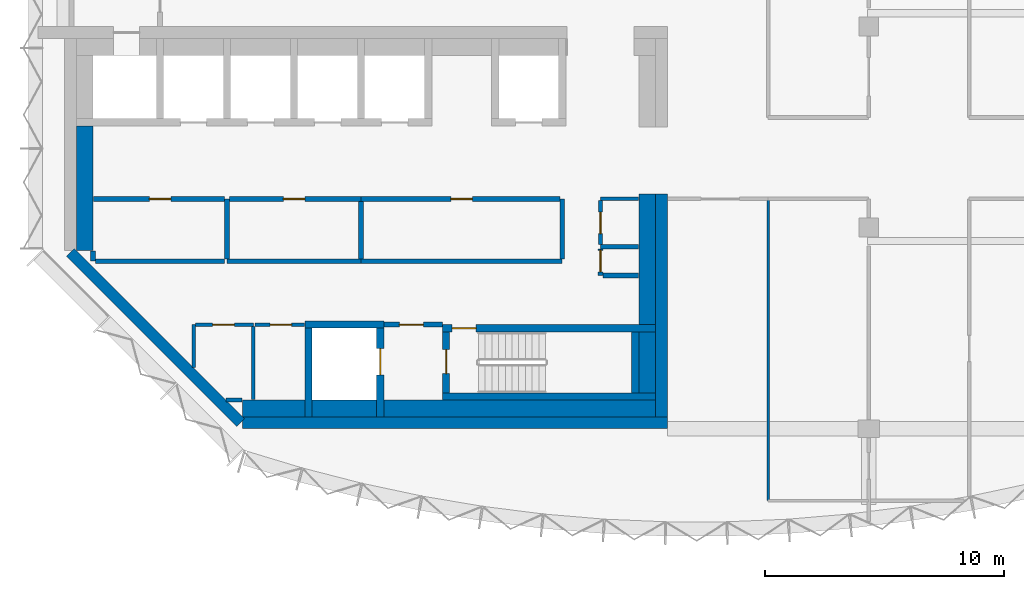
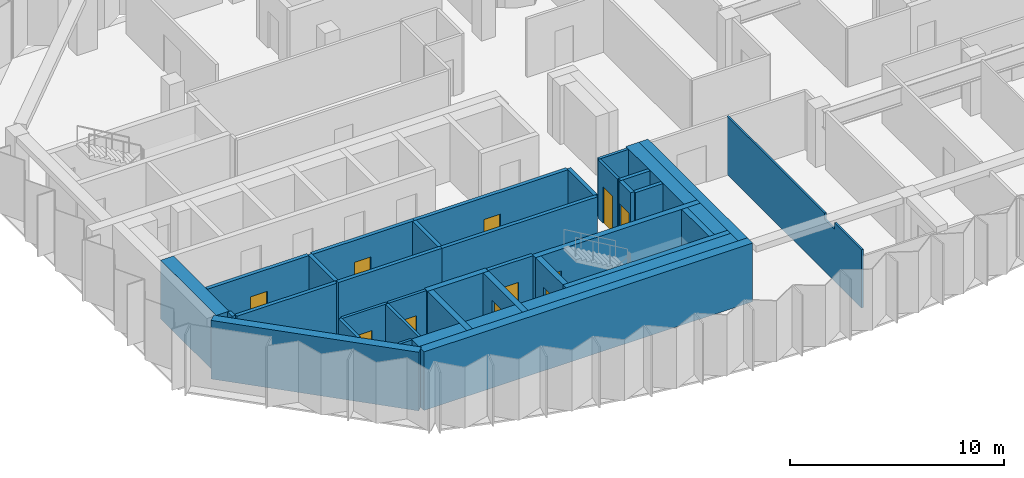
# One storey, part 6 of 11: 38 walls, 11 doors, 11 openings.
"""IFC4 building model written with IfcOpenShell, lengths in metres."""

from ifc_helpers import new_model, si_unit, direction, frame, frame_2d, origin, place, context, subcontext, project, spatial, polyline, rectangle, outline, extrude, material, layer, layer_set, type_object, element, fill, save


model = new_model("IFC4")

# Units and contexts
model_context = context("Model", 3, precision=1e-05, world=origin(), true_north=direction((0.0, 1.0)))
body_context = subcontext(model_context, "Body", "Model", "MODEL_VIEW")
ifc_project = project(units=[si_unit("LENGTHUNIT", "METRE"), si_unit("AREAUNIT", "SQUARE_METRE"), si_unit("VOLUMEUNIT", "CUBIC_METRE"), si_unit("PLANEANGLEUNIT", "RADIAN"), si_unit("MASSUNIT", "GRAM", prefix="KILO")], contexts=[model_context])

# Site, building, storey
site_placement = place(None, origin())
site = spatial("IfcSite", under=ifc_project, at=site_placement, CompositionType="ELEMENT")
building_placement = place(site_placement, origin())
building = spatial("IfcBuilding", under=site, at=building_placement, Name="Brevane Broadcast Tower", CompositionType="ELEMENT")
storey_placement = place(building_placement, frame((0.0, 0.0, 219.300048828125)))
storey = spatial("IfcBuildingStorey", under=building, at=storey_placement, Name="L55", CompositionType="ELEMENT", Elevation=219.300048828125)

# Walls
ifc_material_1 = material(Name="Concrete C32/40", Category="concrete")
ifc_layer_1 = layer(ifc_material_1, 0.699951171875)
ifc_layer_set_1 = layer_set([ifc_layer_1], Name="Core chase wall 700 mm")
wall_type_1 = type_object("IfcWallType", Name="Core chase wall 700 mm", PredefinedType="PARTITIONING", material=ifc_layer_set_1)
wall_1_placement = place(storey_placement, frame((0.85009765625, 7.436279296875, 0.0), z_axis=(0.0, 0.0, 1.0), x_axis=(0.0, 1.0, 0.0)))
element("IfcWall", 1, at=wall_1_placement, inside=storey, type_object=wall_type_1, Name="L55 chase wall LW-1", PredefinedType="PARTITIONING", context=body_context, shape_type="SweptSolid", body=[
    extrude(rectangle(XDim=5.213623046875, YDim=0.699951171875, at=frame_2d((2.60693359375, 0.0))), origin(), (0.0, 0.0, 1.0), 3.349853515625),
])
wall_2_placement = place(storey_placement, frame((7.436279296875, 0.85009765625, 0.0), z_axis=(0.0, 0.0, 1.0), x_axis=(1.0, 0.0, 0.0)))
element("IfcWall", 2, at=wall_2_placement, inside=storey, type_object=wall_type_1, Name="L55 chase wall LS-1", PredefinedType="PARTITIONING", context=body_context, shape_type="SweptSolid", body=[
    extrude(rectangle(XDim=2.61376953125, YDim=0.699951171875, at=frame_2d((1.306884765625, 0.0))), origin(), (0.0, 0.0, 1.0), 3.349853515625),
])
wall_3_placement = place(storey_placement, frame((10.35009765625, 0.85009765625, 0.0), z_axis=(0.0, 0.0, 1.0), x_axis=(1.0, 0.0, 0.0)))
element("IfcWall", 3, at=wall_3_placement, inside=storey, type_object=wall_type_1, Name="L55 chase wall LS-2-1", PredefinedType="PARTITIONING", context=body_context, shape_type="SweptSolid", body=[
    extrude(rectangle(XDim=2.699951171875, YDim=0.699951171875, at=frame_2d((1.35009765625, 0.0))), origin(), (0.0, 0.0, 1.0), 3.349853515625),
])
wall_4_placement = place(storey_placement, frame((13.35009765625, 0.85009765625, 0.0), z_axis=(0.0, 0.0, 1.0), x_axis=(1.0, 0.0, 0.0)))
element("IfcWall", 4, at=wall_4_placement, inside=storey, type_object=wall_type_1, Name="L55 chase wall LS-2-2", PredefinedType="PARTITIONING", context=body_context, shape_type="SweptSolid", body=[
    extrude(rectangle(XDim=11.349853515625, YDim=0.699951171875, at=frame_2d((5.6748046875, 0.0))), origin(), (0.0, 0.0, 1.0), 3.349853515625),
])
wall_5_placement = place(storey_placement, frame((24.35009765625, 1.5, 0.0), z_axis=(0.0, 0.0, 1.0), x_axis=(0.0, 1.0, 0.0)))
element("IfcWall", 5, at=wall_5_placement, inside=storey, type_object=wall_type_1, Name="L55 chase wall LE1-2-1", PredefinedType="PARTITIONING", context=body_context, shape_type="SweptSolid", body=[
    extrude(rectangle(XDim=2.550048828125, YDim=0.699951171875, at=frame_2d((1.27490234375, 0.0))), origin(), (0.0, 0.0, 1.0), 3.349853515625),
])
wall_6_placement = place(storey_placement, frame((24.35009765625, 4.35009765625, 0.0), z_axis=(0.0, 0.0, 1.0), x_axis=(0.0, 1.0, 0.0)))
element("IfcWall", 6, at=wall_6_placement, inside=storey, type_object=wall_type_1, Name="L55 chase wall LE1-2-2", PredefinedType="PARTITIONING", context=body_context, shape_type="SweptSolid", body=[
    extrude(rectangle(XDim=5.449951171875, YDim=0.699951171875, at=frame_2d((2.72509765625, 0.0))), origin(), (0.0, 0.0, 1.0), 3.349853515625),
])
ifc_material_2 = material(Name="Gypsum board on steel studs", Category="steel")
ifc_layer_2 = layer(ifc_material_2, 0.14990234375)
ifc_layer_set_2 = layer_set([ifc_layer_2], Name="Core fire partition 150 mm")
wall_type_2 = type_object("IfcWallType", Name="Core fire partition 150 mm", PredefinedType="PARTITIONING", material=ifc_layer_set_2)
wall_7_placement = place(storey_placement, frame((5.39990234375, 2.553466796875, 0.0), z_axis=(0.0, 0.0, 1.0), x_axis=(0.0, 1.0, 0.0)))
element("IfcWall", 7, at=wall_7_placement, inside=storey, type_object=wall_type_2, Name="L55 partition wall P17", PredefinedType="PARTITIONING", context=body_context, shape_type="SweptSolid", body=[
    extrude(rectangle(XDim=1.796630859375, YDim=0.14990234375, at=frame_2d((0.8984375, 0.0))), origin(), (0.0, 0.0, 1.0), 3.349853515625),
])

# Wall, opening, door
wall_8_placement = place(storey_placement, frame((5.47509765625, 4.35009765625, 0.0), z_axis=(0.0, 0.0, 1.0), x_axis=(1.0, 0.0, 0.0)))
wall_8 = element("IfcWall", 8, at=wall_8_placement, inside=storey, type_object=wall_type_2, Name="L55 partition wall P18", PredefinedType="PARTITIONING", context=body_context, shape_type="SweptSolid", body=[
    extrude(rectangle(XDim=2.4248046875, YDim=0.14990234375, at=frame_2d((1.21240234375, 0.0))), origin(), (0.0, 0.0, 1.0), 3.349853515625),
])
opening_1_placement = place(wall_8_placement, frame((0.72509765625, 0.0, 0.0)))
opening_1 = element("IfcOpeningElement", 9, at=opening_1_placement, cuts=wall_8, Name="Opening L55-K14", PredefinedType="OPENING", context=body_context, shape_type="SweptSolid", body=[
    extrude(rectangle(XDim=0.89990234375, YDim=2.10009765625, at=frame_2d((0.449951171875, 1.050048828125))), frame((0.0, 0.0849609375, 0.0), z_axis=(0.0, -1.0, 0.0), x_axis=(1.0, 0.0, 0.0)), (0.0, 0.0, 1.0), 0.169921875),
])
ifc_material_3 = material(Name="Timber", Category="wood")
door_type_1 = type_object("IfcDoorType", Name="Toilet door 900 x 2100", OperationType="SINGLE_SWING_LEFT", PredefinedType="DOOR", material=ifc_material_3)
door_1_placement = place(opening_1_placement, origin())
door_1 = element("IfcDoor", 10, at=door_1_placement, inside=storey, type_object=door_type_1, Name="Door L55-K14", OperationType="SINGLE_SWING_RIGHT", OverallHeight=2.10009765625, OverallWidth=0.89990234375, PredefinedType="DOOR", context=body_context, shape_type="SweptSolid", body=[
    extrude(rectangle(XDim=0.89990234375, YDim=2.10009765625, at=frame_2d((0.449951171875, 1.050048828125))), frame((0.0, 0.02490234375, 0.0), z_axis=(0.0, -1.0, 0.0), x_axis=(1.0, 0.0, 0.0)), (0.0, 0.0, 1.0), 0.050048828125),
])
fill(opening_1, door_1)

# Walls
wall_9_placement = place(storey_placement, frame((7.89990234375, 4.27490234375, 0.0), z_axis=(0.0, 0.0, 1.0), x_axis=(0.0, -1.0, 0.0)))
element("IfcWall", 11, at=wall_9_placement, inside=storey, type_object=wall_type_2, Name="L55 partition wall P19", PredefinedType="PARTITIONING", context=body_context, shape_type="SweptSolid", body=[
    extrude(rectangle(XDim=3.06298828125, YDim=0.14990234375, at=frame_2d((1.531494140625, 0.0))), origin(), (0.0, 0.0, 1.0), 3.349853515625),
])
wall_10_placement = place(storey_placement, frame((7.42431640625, 1.199951171875, 0.0), z_axis=(0.0, 0.0, 1.0), x_axis=(-1.0, 0.0, 0.0)))
element("IfcWall", 12, at=wall_10_placement, inside=storey, type_object=wall_type_2, Name="L55 partition wall P20", PredefinedType="PARTITIONING", context=body_context, shape_type="SweptSolid", body=[
    extrude(rectangle(XDim=0.6708984375, YDim=0.14990234375, at=frame_2d((0.33544921875, 0.0))), origin(), (0.0, 0.0, 1.0), 3.349853515625),
])

# Wall, opening, door
wall_11_placement = place(storey_placement, frame((10.0380859375, 4.35009765625, 0.0), z_axis=(0.0, 0.0, 1.0), x_axis=(-1.0, 0.0, 0.0)))
wall_11 = element("IfcWall", 13, at=wall_11_placement, inside=storey, type_object=wall_type_2, Name="L55 partition wall P21", PredefinedType="PARTITIONING", context=body_context, shape_type="SweptSolid", body=[
    extrude(rectangle(XDim=2.06298828125, YDim=0.14990234375, at=frame_2d((1.031494140625, 0.0))), origin(), (0.0, 0.0, 1.0), 3.349853515625),
])
opening_2_placement = place(wall_11_placement, frame((0.5380859375, 0.0, 0.0)))
opening_2 = element("IfcOpeningElement", 14, at=opening_2_placement, cuts=wall_11, Name="Opening L55-K15", PredefinedType="OPENING", context=body_context, shape_type="SweptSolid", body=[
    extrude(rectangle(XDim=0.89990234375, YDim=2.10009765625, at=frame_2d((0.449951171875, 1.050048828125))), frame((0.0, 0.0849609375, 0.0), z_axis=(0.0, -1.0, 0.0), x_axis=(1.0, 0.0, 0.0)), (0.0, 0.0, 1.0), 0.169921875),
])
door_2_placement = place(opening_2_placement, origin())
door_2 = element("IfcDoor", 15, at=door_2_placement, inside=storey, type_object=door_type_1, Name="Door L55-K15", OperationType="SINGLE_SWING_LEFT", OverallHeight=2.10009765625, OverallWidth=0.89990234375, PredefinedType="DOOR", context=body_context, shape_type="SweptSolid", body=[
    extrude(rectangle(XDim=0.89990234375, YDim=2.10009765625, at=frame_2d((0.449951171875, 1.050048828125))), frame((0.0, 0.02490234375, 0.0), z_axis=(0.0, -1.0, 0.0), x_axis=(1.0, 0.0, 0.0)), (0.0, 0.0, 1.0), 0.050048828125),
])
fill(opening_2, door_2)

# Wall
wall_12_placement = place(storey_placement, frame((23.988037109375, 9.60009765625, 0.0), z_axis=(0.0, 0.0, 1.0), x_axis=(-1.0, 0.0, 0.0)))
element("IfcWall", 16, at=wall_12_placement, inside=storey, type_object=wall_type_2, Name="L55 partition wall P32", PredefinedType="PARTITIONING", context=body_context, shape_type="SweptSolid", body=[
    extrude(rectangle(XDim=1.588134765625, YDim=0.14990234375, at=frame_2d((0.7939453125, 0.0))), origin(), (0.0, 0.0, 1.0), 3.349853515625),
])

# Wall, opening, door
wall_13_placement = place(storey_placement, frame((22.39990234375, 9.52490234375, 0.0), z_axis=(0.0, 0.0, 1.0), x_axis=(0.0, -1.0, 0.0)))
wall_13 = element("IfcWall", 17, at=wall_13_placement, inside=storey, type_object=wall_type_2, Name="L55 partition wall P33", PredefinedType="PARTITIONING", context=body_context, shape_type="SweptSolid", body=[
    extrude(rectangle(XDim=1.824951171875, YDim=0.14990234375, at=frame_2d((0.91259765625, 0.0))), origin(), (0.0, 0.0, 1.0), 3.349853515625),
])
opening_3_placement = place(wall_13_placement, frame((0.47509765625, 0.0, 0.0)))
opening_3 = element("IfcOpeningElement", 18, at=opening_3_placement, cuts=wall_13, Name="Opening L55-K18", PredefinedType="OPENING", context=body_context, shape_type="SweptSolid", body=[
    extrude(rectangle(XDim=0.89990234375, YDim=2.10009765625, at=frame_2d((0.449951171875, 1.050048828125))), frame((0.0, 0.0849609375, 0.0), z_axis=(0.0, -1.0, 0.0), x_axis=(1.0, 0.0, 0.0)), (0.0, 0.0, 1.0), 0.169921875),
])
ifc_material_4 = material(Name="Steel", Category="steel")
door_type_2 = type_object("IfcDoorType", Name="Service room door 900 x 2100", OperationType="SINGLE_SWING_LEFT", PredefinedType="DOOR", material=ifc_material_4)
door_3_placement = place(opening_3_placement, origin())
door_3 = element("IfcDoor", 19, at=door_3_placement, inside=storey, type_object=door_type_2, Name="Door L55-K18", OperationType="SINGLE_SWING_RIGHT", OverallHeight=2.10009765625, OverallWidth=0.89990234375, PredefinedType="DOOR", context=body_context, shape_type="SweptSolid", body=[
    extrude(rectangle(XDim=0.89990234375, YDim=2.10009765625, at=frame_2d((0.449951171875, 1.050048828125))), frame((0.0, 0.02490234375, 0.0), z_axis=(0.0, -1.0, 0.0), x_axis=(1.0, 0.0, 0.0)), (0.0, 0.0, 1.0), 0.050048828125),
])
fill(opening_3, door_3)

ifc_layer_3 = layer(ifc_material_2, 0.199951171875)
ifc_layer_set_3 = layer_set([ifc_layer_3], Name="Core fire partition 200 mm")
wall_type_3 = type_object("IfcWallType", Name="Core fire partition 200 mm", PredefinedType="PARTITIONING", material=ifc_layer_set_3)
wall_14_placement = place(storey_placement, frame((13.362060546875, 4.35009765625, 0.0), z_axis=(0.0, 0.0, 1.0), x_axis=(1.0, 0.0, 0.0)))
wall_14 = element("IfcWall", 20, at=wall_14_placement, inside=storey, type_object=wall_type_3, Name="L55 partition wall P03", PredefinedType="PARTITIONING", context=body_context, shape_type="SweptSolid", body=[
    extrude(rectangle(XDim=2.426025390625, YDim=0.199951171875, at=frame_2d((1.212890625, 0.0))), origin(), (0.0, 0.0, 1.0), 3.349853515625),
])
opening_4_placement = place(wall_14_placement, frame((0.637939453125, 0.0, 0.0)))
opening_4 = element("IfcOpeningElement", 21, at=opening_4_placement, cuts=wall_14, Name="Opening L55-K16", PredefinedType="OPENING", context=body_context, shape_type="SweptSolid", body=[
    extrude(rectangle(XDim=1.0, YDim=2.10009765625, at=frame_2d((0.5, 1.050048828125))), frame((0.0, 0.10986328125, 0.0), z_axis=(0.0, -1.0, 0.0), x_axis=(1.0, 0.0, 0.0)), (0.0, 0.0, 1.0), 0.219970703125),
])
door_type_3 = type_object("IfcDoorType", Name="Stair door 1000 x 2100", OperationType="SINGLE_SWING_LEFT", PredefinedType="DOOR", material=ifc_material_4)
door_4_placement = place(opening_4_placement, origin())
door_4 = element("IfcDoor", 22, at=door_4_placement, inside=storey, type_object=door_type_3, Name="Door L55-K16", OperationType="SINGLE_SWING_RIGHT", OverallHeight=2.10009765625, OverallWidth=1.0, PredefinedType="DOOR", context=body_context, shape_type="SweptSolid", body=[
    extrude(rectangle(XDim=1.0, YDim=2.10009765625, at=frame_2d((0.5, 1.050048828125))), frame((0.0, 0.02490234375, 0.0), z_axis=(0.0, -1.0, 0.0), x_axis=(1.0, 0.0, 0.0)), (0.0, 0.0, 1.0), 0.050048828125),
])
fill(opening_4, door_4)

# Walls
wall_15_placement = place(storey_placement, frame((6.800048828125, 7.0, 0.0), z_axis=(0.0, 0.0, 1.0), x_axis=(1.0, 0.0, 0.0)))
element("IfcWall", 23, at=wall_15_placement, inside=storey, type_object=wall_type_3, Name="L55 partition wall P04", PredefinedType="PARTITIONING", context=body_context, shape_type="SweptSolid", body=[
    extrude(rectangle(XDim=5.599853515625, YDim=0.199951171875, at=frame_2d((2.7998046875, 0.0))), origin(), (0.0, 0.0, 1.0), 3.349853515625),
])
wall_16_placement = place(storey_placement, frame((6.800048828125, 9.60009765625, 0.0), z_axis=(0.0, 0.0, 1.0), x_axis=(0.0, -1.0, 0.0)))
element("IfcWall", 24, at=wall_16_placement, inside=storey, type_object=wall_type_3, Name="L55 partition wall P05", PredefinedType="PARTITIONING", context=body_context, shape_type="SweptSolid", body=[
    extrude(rectangle(XDim=2.5, YDim=0.199951171875, at=frame_2d((1.25, 0.0))), origin(), (0.0, 0.0, 1.0), 3.349853515625),
])

# Wall, opening, door
wall_17_placement = place(storey_placement, frame((6.699951171875, 9.60009765625, 0.0), z_axis=(0.0, 0.0, 1.0), x_axis=(-1.0, 0.0, 0.0)))
wall_17 = element("IfcWall", 25, at=wall_17_placement, inside=storey, type_object=wall_type_3, Name="L55 partition wall P06", PredefinedType="PARTITIONING", context=body_context, shape_type="SweptSolid", body=[
    extrude(rectangle(XDim=5.488037109375, YDim=0.199951171875, at=frame_2d((2.744140625, 0.0))), origin(), (0.0, 0.0, 1.0), 3.349853515625),
])
opening_5_placement = place(wall_17_placement, frame((2.25, 0.0, 0.0)))
opening_5 = element("IfcOpeningElement", 26, at=opening_5_placement, cuts=wall_17, Name="Opening L55-K19", PredefinedType="OPENING", context=body_context, shape_type="SweptSolid", body=[
    extrude(rectangle(XDim=0.89990234375, YDim=2.10009765625, at=frame_2d((0.449951171875, 1.050048828125))), frame((0.0, 0.10986328125, 0.0), z_axis=(0.0, -1.0, 0.0), x_axis=(1.0, 0.0, 0.0)), (0.0, 0.0, 1.0), 0.219970703125),
])
door_5_placement = place(opening_5_placement, origin())
door_5 = element("IfcDoor", 27, at=door_5_placement, inside=storey, type_object=door_type_2, Name="Door L55-K19", OperationType="SINGLE_SWING_LEFT", OverallHeight=2.10009765625, OverallWidth=0.89990234375, PredefinedType="DOOR", context=body_context, shape_type="SweptSolid", body=[
    extrude(rectangle(XDim=0.89990234375, YDim=2.10009765625, at=frame_2d((0.449951171875, 1.050048828125))), frame((0.0, 0.02490234375, 0.0), z_axis=(0.0, -1.0, 0.0), x_axis=(1.0, 0.0, 0.0)), (0.0, 0.0, 1.0), 0.050048828125),
])
fill(opening_5, door_5)

# Walls
wall_18_placement = place(storey_placement, frame((1.199951171875, 7.42431640625, 0.0), z_axis=(0.0, 0.0, 1.0), x_axis=(0.0, -1.0, 0.0)))
element("IfcWall", 28, at=wall_18_placement, inside=storey, type_object=wall_type_3, Name="L55 partition wall P07", PredefinedType="PARTITIONING", context=body_context, shape_type="SweptSolid", body=[
    extrude(rectangle(XDim=0.42431640625, YDim=0.199951171875, at=frame_2d((0.212158203125, 0.0))), origin(), (0.0, 0.0, 1.0), 3.349853515625),
])
wall_19_placement = place(storey_placement, frame((1.300048828125, 7.0, 0.0), z_axis=(0.0, 0.0, 1.0), x_axis=(1.0, 0.0, 0.0)))
element("IfcWall", 29, at=wall_19_placement, inside=storey, type_object=wall_type_3, Name="L55 partition wall P08", PredefinedType="PARTITIONING", context=body_context, shape_type="SweptSolid", body=[
    extrude(rectangle(XDim=5.39990234375, YDim=0.199951171875, at=frame_2d((2.699951171875, 0.0))), origin(), (0.0, 0.0, 1.0), 3.349853515625),
])

# Wall, opening, door
wall_20_placement = place(storey_placement, frame((12.39990234375, 9.60009765625, 0.0), z_axis=(0.0, 0.0, 1.0), x_axis=(-1.0, 0.0, 0.0)))
wall_20 = element("IfcWall", 30, at=wall_20_placement, inside=storey, type_object=wall_type_3, Name="L55 partition wall P09", PredefinedType="PARTITIONING", context=body_context, shape_type="SweptSolid", body=[
    extrude(rectangle(XDim=5.5, YDim=0.199951171875, at=frame_2d((2.75, 0.0))), origin(), (0.0, 0.0, 1.0), 3.349853515625),
])
opening_6_placement = place(wall_20_placement, frame((2.35009765625, 0.0, 0.0)))
opening_6 = element("IfcOpeningElement", 31, at=opening_6_placement, cuts=wall_20, Name="Opening L55-K20", PredefinedType="OPENING", context=body_context, shape_type="SweptSolid", body=[
    extrude(rectangle(XDim=0.89990234375, YDim=2.10009765625, at=frame_2d((0.449951171875, 1.050048828125))), frame((0.0, 0.10986328125, 0.0), z_axis=(0.0, -1.0, 0.0), x_axis=(1.0, 0.0, 0.0)), (0.0, 0.0, 1.0), 0.219970703125),
])
door_6_placement = place(opening_6_placement, origin())
door_6 = element("IfcDoor", 32, at=door_6_placement, inside=storey, type_object=door_type_2, Name="Door L55-K20", OperationType="SINGLE_SWING_RIGHT", OverallHeight=2.10009765625, OverallWidth=0.89990234375, PredefinedType="DOOR", context=body_context, shape_type="SweptSolid", body=[
    extrude(rectangle(XDim=0.89990234375, YDim=2.10009765625, at=frame_2d((0.449951171875, 1.050048828125))), frame((0.0, 0.02490234375, 0.0), z_axis=(0.0, -1.0, 0.0), x_axis=(1.0, 0.0, 0.0)), (0.0, 0.0, 1.0), 0.050048828125),
])
fill(opening_6, door_6)

# Walls
wall_21_placement = place(storey_placement, frame((12.39990234375, 7.0, 0.0), z_axis=(0.0, 0.0, 1.0), x_axis=(1.0, 0.0, 0.0)))
element("IfcWall", 33, at=wall_21_placement, inside=storey, type_object=wall_type_3, Name="L55 partition wall P10", PredefinedType="PARTITIONING", context=body_context, shape_type="SweptSolid", body=[
    extrude(rectangle(XDim=8.400146484375, YDim=0.199951171875, at=frame_2d((4.2001953125, 0.0))), origin(), (0.0, 0.0, 1.0), 3.349853515625),
])
wall_22_placement = place(storey_placement, frame((20.800048828125, 7.10009765625, 0.0), z_axis=(0.0, 0.0, 1.0), x_axis=(0.0, 1.0, 0.0)))
element("IfcWall", 34, at=wall_22_placement, inside=storey, type_object=wall_type_3, Name="L55 partition wall P11", PredefinedType="PARTITIONING", context=body_context, shape_type="SweptSolid", body=[
    extrude(rectangle(XDim=2.5, YDim=0.199951171875, at=frame_2d((1.25, 0.0))), origin(), (0.0, 0.0, 1.0), 3.349853515625),
])

# Wall, opening, door
wall_23_placement = place(storey_placement, frame((20.699951171875, 9.60009765625, 0.0), z_axis=(0.0, 0.0, 1.0), x_axis=(-1.0, 0.0, 0.0)))
wall_23 = element("IfcWall", 35, at=wall_23_placement, inside=storey, type_object=wall_type_3, Name="L55 partition wall P12", PredefinedType="PARTITIONING", context=body_context, shape_type="SweptSolid", body=[
    extrude(rectangle(XDim=8.300048828125, YDim=0.199951171875, at=frame_2d((4.14990234375, 0.0))), origin(), (0.0, 0.0, 1.0), 3.349853515625),
])
opening_7_placement = place(wall_23_placement, frame((3.64990234375, 0.0, 0.0)))
opening_7 = element("IfcOpeningElement", 36, at=opening_7_placement, cuts=wall_23, Name="Opening L55-K21", PredefinedType="OPENING", context=body_context, shape_type="SweptSolid", body=[
    extrude(rectangle(XDim=0.89990234375, YDim=2.10009765625, at=frame_2d((0.449951171875, 1.050048828125))), frame((0.0, 0.10986328125, 0.0), z_axis=(0.0, -1.0, 0.0), x_axis=(1.0, 0.0, 0.0)), (0.0, 0.0, 1.0), 0.219970703125),
])
door_7_placement = place(opening_7_placement, origin())
door_7 = element("IfcDoor", 37, at=door_7_placement, inside=storey, type_object=door_type_2, Name="Door L55-K21", OperationType="SINGLE_SWING_LEFT", OverallHeight=2.10009765625, OverallWidth=0.89990234375, PredefinedType="DOOR", context=body_context, shape_type="SweptSolid", body=[
    extrude(rectangle(XDim=0.89990234375, YDim=2.10009765625, at=frame_2d((0.449951171875, 1.050048828125))), frame((0.0, 0.02490234375, 0.0), z_axis=(0.0, -1.0, 0.0), x_axis=(1.0, 0.0, 0.0)), (0.0, 0.0, 1.0), 0.050048828125),
])
fill(opening_7, door_7)

# Walls
wall_24_placement = place(storey_placement, frame((12.39990234375, 9.5, 0.0), z_axis=(0.0, 0.0, 1.0), x_axis=(0.0, -1.0, 0.0)))
element("IfcWall", 38, at=wall_24_placement, inside=storey, type_object=wall_type_3, Name="L55 partition wall P13", PredefinedType="PARTITIONING", context=body_context, shape_type="SweptSolid", body=[
    extrude(rectangle(XDim=2.39990234375, YDim=0.199951171875, at=frame_2d((1.199951171875, 0.0))), origin(), (0.0, 0.0, 1.0), 3.349853515625),
])
wall_25_placement = place(storey_placement, frame((23.988037109375, 7.60009765625, 0.0), z_axis=(0.0, 0.0, 1.0), x_axis=(-1.0, 0.0, 0.0)))
element("IfcWall", 39, at=wall_25_placement, inside=storey, type_object=wall_type_3, Name="L55 partition wall P14", PredefinedType="PARTITIONING", context=body_context, shape_type="SweptSolid", body=[
    extrude(rectangle(XDim=1.588134765625, YDim=0.199951171875, at=frame_2d((0.7939453125, 0.0))), origin(), (0.0, 0.0, 1.0), 3.349853515625),
])

# Wall, opening, door
wall_26_placement = place(storey_placement, frame((22.39990234375, 7.5, 0.0), z_axis=(0.0, 0.0, 1.0), x_axis=(0.0, -1.0, 0.0)))
wall_26 = element("IfcWall", 40, at=wall_26_placement, inside=storey, type_object=wall_type_3, Name="L55 partition wall P15", PredefinedType="PARTITIONING", context=body_context, shape_type="SweptSolid", body=[
    extrude(rectangle(XDim=1.10009765625, YDim=0.199951171875, at=frame_2d((0.550048828125, 0.0))), origin(), (0.0, 0.0, 1.0), 3.349853515625),
])
opening_8_placement = place(wall_26_placement, frame((0.050048828125, 0.0, 0.0)))
opening_8 = element("IfcOpeningElement", 41, at=opening_8_placement, cuts=wall_26, Name="Opening L55-K17", PredefinedType="OPENING", context=body_context, shape_type="SweptSolid", body=[
    extrude(rectangle(XDim=0.89990234375, YDim=2.10009765625, at=frame_2d((0.449951171875, 1.050048828125))), frame((0.0, 0.10986328125, 0.0), z_axis=(0.0, -1.0, 0.0), x_axis=(1.0, 0.0, 0.0)), (0.0, 0.0, 1.0), 0.219970703125),
])
door_8_placement = place(opening_8_placement, origin())
door_8 = element("IfcDoor", 42, at=door_8_placement, inside=storey, type_object=door_type_2, Name="Door L55-K17", OperationType="SINGLE_SWING_LEFT", OverallHeight=2.10009765625, OverallWidth=0.89990234375, PredefinedType="DOOR", context=body_context, shape_type="SweptSolid", body=[
    extrude(rectangle(XDim=0.89990234375, YDim=2.10009765625, at=frame_2d((0.449951171875, 1.050048828125))), frame((0.0, 0.02490234375, 0.0), z_axis=(0.0, -1.0, 0.0), x_axis=(1.0, 0.0, 0.0)), (0.0, 0.0, 1.0), 0.050048828125),
])
fill(opening_8, door_8)

# Walls
wall_27_placement = place(storey_placement, frame((22.5, 6.39990234375, 0.0), z_axis=(0.0, 0.0, 1.0), x_axis=(1.0, 0.0, 0.0)))
element("IfcWall", 43, at=wall_27_placement, inside=storey, type_object=wall_type_3, Name="L55 partition wall P16", PredefinedType="PARTITIONING", context=body_context, shape_type="SweptSolid", body=[
    extrude(rectangle(XDim=1.488037109375, YDim=0.199951171875, at=frame_2d((0.744140625, 0.0))), origin(), (0.0, 0.0, 1.0), 3.349853515625),
])
ifc_material_5 = material(Name="Concrete C50/60", Category="concrete")
ifc_layer_4 = layer(ifc_material_5, 0.300048828125)
ifc_layer_set_4 = layer_set([ifc_layer_4], Name="Core wall 300 mm C50/60")
wall_type_4 = type_object("IfcWallType", Name="Core wall 300 mm C50/60", PredefinedType="SHEAR", material=ifc_layer_set_4)
wall_28_placement = place(storey_placement, frame((10.199951171875, 0.5, 0.0), z_axis=(0.0, 0.0, 1.0), x_axis=(0.0, 1.0, 0.0)))
element("IfcWall", 44, at=wall_28_placement, inside=storey, type_object=wall_type_4, Name="L55 shaft wall FF2-W", PredefinedType="SHEAR", context=body_context, shape_type="SweptSolid", body=[
    extrude(rectangle(XDim=3.699951171875, YDim=0.300048828125, at=frame_2d((1.85009765625, 0.0))), origin(), (0.0, 0.0, 1.0), 3.349853515625),
])

# Wall, opening, door
wall_29_placement = place(storey_placement, frame((13.199951171875, 0.5, 0.0), z_axis=(0.0, 0.0, 1.0), x_axis=(0.0, 1.0, 0.0)))
wall_29 = element("IfcWall", 45, at=wall_29_placement, inside=storey, type_object=wall_type_4, Name="L55 shaft wall FF2-E", PredefinedType="SHEAR", context=body_context, shape_type="SweptSolid", body=[
    extrude(rectangle(XDim=3.699951171875, YDim=0.300048828125, at=frame_2d((1.85009765625, 0.0))), origin(), (0.0, 0.0, 1.0), 3.349853515625),
])
opening_9_placement = place(wall_29_placement, frame((1.75, 0.0, 0.0)))
opening_9 = element("IfcOpeningElement", 46, at=opening_9_placement, cuts=wall_29, Name="Opening LD", PredefinedType="OPENING", context=body_context, shape_type="SweptSolid", body=[
    extrude(rectangle(XDim=1.10009765625, YDim=2.300048828125, at=frame_2d((0.550048828125, 1.14990234375))), frame((0.0, 0.159912109375, 0.0), z_axis=(0.0, -1.0, 0.0), x_axis=(1.0, 0.0, 0.0)), (0.0, 0.0, 1.0), 0.320068359375),
])
ifc_material_6 = material(Name="Stainless steel", Category="steel")
door_type_4 = type_object("IfcDoorType", Name="Lift landing door", OperationType="SLIDING_TO_LEFT", PredefinedType="DOOR", material=ifc_material_6)
door_9_placement = place(opening_9_placement, origin())
door_9 = element("IfcDoor", 47, at=door_9_placement, inside=storey, type_object=door_type_4, Name="Landing door FF2 L55", OperationType="SLIDING_TO_LEFT", OverallHeight=2.300048828125, OverallWidth=1.10009765625, PredefinedType="DOOR", context=body_context, shape_type="SweptSolid", body=[
    extrude(rectangle(XDim=1.10009765625, YDim=2.300048828125, at=frame_2d((0.550048828125, 1.14990234375))), frame((0.0, 0.02490234375, 0.0), z_axis=(0.0, -1.0, 0.0), x_axis=(1.0, 0.0, 0.0)), (0.0, 0.0, 1.0), 0.050048828125),
])
fill(opening_9, door_9)

# Walls
wall_30_placement = place(storey_placement, frame((10.050048828125, 4.35009765625, 0.0), z_axis=(0.0, 0.0, 1.0), x_axis=(1.0, 0.0, 0.0)))
element("IfcWall", 48, at=wall_30_placement, inside=storey, type_object=wall_type_4, Name="L55 shaft wall FF2-N", PredefinedType="SHEAR", context=body_context, shape_type="SweptSolid", body=[
    extrude(rectangle(XDim=3.300048828125, YDim=0.300048828125, at=frame_2d((1.64990234375, 0.0))), origin(), (0.0, 0.0, 1.0), 3.349853515625),
])
wall_31_placement = place(storey_placement, frame((15.800048828125, 1.35009765625, 0.0), z_axis=(0.0, 0.0, 1.0), x_axis=(1.0, 0.0, 0.0)))
element("IfcWall", 49, at=wall_31_placement, inside=storey, type_object=wall_type_4, Name="L55 stair wall ST-2-S", PredefinedType="SHEAR", context=body_context, shape_type="SweptSolid", body=[
    extrude(rectangle(XDim=8.89990234375, YDim=0.300048828125, at=frame_2d((4.449951171875, 0.0))), origin(), (0.0, 0.0, 1.0), 3.349853515625),
])

# Wall, opening, door
wall_32_placement = place(storey_placement, frame((15.800048828125, 4.199951171875, 0.0), z_axis=(0.0, 0.0, 1.0), x_axis=(1.0, 0.0, 0.0)))
wall_32 = element("IfcWall", 50, at=wall_32_placement, inside=storey, type_object=wall_type_4, Name="L55 stair wall ST-2-N", PredefinedType="SHEAR", context=body_context, shape_type="SweptSolid", body=[
    extrude(rectangle(XDim=8.89990234375, YDim=0.300048828125, at=frame_2d((4.449951171875, 0.0))), origin(), (0.0, 0.0, 1.0), 3.349853515625),
])
opening_10_placement = place(wall_32_placement, frame((0.39990234375, 0.0, 0.0)))
opening_10 = element("IfcOpeningElement", 51, at=opening_10_placement, cuts=wall_32, Name="Opening L55-K11", PredefinedType="OPENING", context=body_context, shape_type="SweptSolid", body=[
    extrude(rectangle(XDim=1.0, YDim=2.10009765625, at=frame_2d((0.5, 1.050048828125))), frame((0.0, 0.159912109375, 0.0), z_axis=(0.0, -1.0, 0.0), x_axis=(1.0, 0.0, 0.0)), (0.0, 0.0, 1.0), 0.320068359375),
])
door_10_placement = place(opening_10_placement, origin())
door_10 = element("IfcDoor", 52, at=door_10_placement, inside=storey, type_object=door_type_3, Name="Door L55-K11", OperationType="SINGLE_SWING_LEFT", OverallHeight=2.10009765625, OverallWidth=1.0, PredefinedType="DOOR", context=body_context, shape_type="SweptSolid", body=[
    extrude(rectangle(XDim=1.0, YDim=2.10009765625, at=frame_2d((0.5, 1.050048828125))), frame((0.0, 0.02490234375, 0.0), z_axis=(0.0, -1.0, 0.0), x_axis=(1.0, 0.0, 0.0)), (0.0, 0.0, 1.0), 0.050048828125),
])
fill(opening_10, door_10)

wall_33_placement = place(storey_placement, frame((15.949951171875, 1.5, 0.0), z_axis=(0.0, 0.0, 1.0), x_axis=(0.0, 1.0, 0.0)))
wall_33 = element("IfcWall", 53, at=wall_33_placement, inside=storey, type_object=wall_type_4, Name="L55 stair wall ST-2-W", PredefinedType="SHEAR", context=body_context, shape_type="SweptSolid", body=[
    extrude(rectangle(XDim=2.550048828125, YDim=0.300048828125, at=frame_2d((1.27490234375, 0.0))), origin(), (0.0, 0.0, 1.0), 3.349853515625),
])
opening_11_placement = place(wall_33_placement, frame((0.800048828125, 0.0, 0.0)))
opening_11 = element("IfcOpeningElement", 54, at=opening_11_placement, cuts=wall_33, Name="Opening L55-K10", PredefinedType="OPENING", context=body_context, shape_type="SweptSolid", body=[
    extrude(rectangle(XDim=1.0, YDim=2.10009765625, at=frame_2d((0.5, 1.050048828125))), frame((0.0, 0.159912109375, 0.0), z_axis=(0.0, -1.0, 0.0), x_axis=(1.0, 0.0, 0.0)), (0.0, 0.0, 1.0), 0.320068359375),
])
door_11_placement = place(opening_11_placement, origin())
door_11 = element("IfcDoor", 55, at=door_11_placement, inside=storey, type_object=door_type_3, Name="Door L55-K10", OperationType="SINGLE_SWING_RIGHT", OverallHeight=2.10009765625, OverallWidth=1.0, PredefinedType="DOOR", context=body_context, shape_type="SweptSolid", body=[
    extrude(rectangle(XDim=1.0, YDim=2.10009765625, at=frame_2d((0.5, 1.050048828125))), frame((0.0, 0.02490234375, 0.0), z_axis=(0.0, -1.0, 0.0), x_axis=(1.0, 0.0, 0.0)), (0.0, 0.0, 1.0), 0.050048828125),
])
fill(opening_11, door_11)

# Walls
wall_34_placement = place(storey_placement, frame((23.85009765625, 1.5, 0.0), z_axis=(0.0, 0.0, 1.0), x_axis=(0.0, 1.0, 0.0)))
element("IfcWall", 56, at=wall_34_placement, inside=storey, type_object=wall_type_4, Name="L55 stair wall ST-2-E", PredefinedType="SHEAR", context=body_context, shape_type="SweptSolid", body=[
    extrude(rectangle(XDim=2.550048828125, YDim=0.300048828125, at=frame_2d((1.27490234375, 0.0))), origin(), (0.0, 0.0, 1.0), 3.349853515625),
])
ifc_layer_5 = layer(ifc_material_5, 0.449951171875)
ifc_layer_set_5 = layer_set([ifc_layer_5], Name="Core wall 450 mm C50/60")
wall_type_5 = type_object("IfcWallType", Name="Core wall 450 mm C50/60", PredefinedType="SHEAR", material=ifc_layer_set_5)
wall_35_placement = place(storey_placement, frame((0.25, 7.3681640625, 0.0), z_axis=(0.0, 0.0, 1.0), x_axis=(0.707106781187, -0.707106781187, 0.0)))
element("IfcWall", 57, at=wall_35_placement, inside=storey, type_object=wall_type_5, Name="L55 outer wall WC", PredefinedType="SHEAR", context=body_context, shape_type="SweptSolid", body=[
    extrude(rectangle(XDim=10.066650390625, YDim=0.449951171875, at=frame_2d((5.033203125, 0.0))), origin(), (0.0, 0.0, 1.0), 3.349853515625),
])
ifc_layer_6 = layer(ifc_material_5, 0.5)
ifc_layer_set_6 = layer_set([ifc_layer_6], Name="Core wall 500 mm C50/60")
wall_type_6 = type_object("IfcWallType", Name="Core wall 500 mm C50/60", PredefinedType="SHEAR", material=ifc_layer_set_6)
wall_36_placement = place(storey_placement, frame((7.436279296875, 0.25, 0.0), z_axis=(0.0, 0.0, 1.0), x_axis=(1.0, 0.0, 0.0)))
element("IfcWall", 58, at=wall_36_placement, inside=storey, type_object=wall_type_6, Name="L55 outer wall WS", PredefinedType="SHEAR", context=body_context, shape_type="SweptSolid", body=[
    extrude(rectangle(XDim=17.763671875, YDim=0.5, at=frame_2d((8.8818359375, 0.0))), origin(), (0.0, 0.0, 1.0), 3.349853515625),
])
wall_37_placement = place(storey_placement, frame((24.949951171875, 0.5, 0.0), z_axis=(0.0, 0.0, 1.0), x_axis=(0.0, 1.0, 0.0)))
element("IfcWall", 59, at=wall_37_placement, inside=storey, type_object=wall_type_6, Name="L55 outer wall WE1", PredefinedType="SHEAR", context=body_context, shape_type="SweptSolid", body=[
    extrude(rectangle(XDim=9.300048828125, YDim=0.5, at=frame_2d((4.64990234375, 0.0))), origin(), (0.0, 0.0, 1.0), 3.349853515625),
])
ifc_material_7 = material(Name="Gypsum board partition")
ifc_layer_7 = layer(ifc_material_7, 0.10009765625)
ifc_layer_set_7 = layer_set([ifc_layer_7], Name="PARTITION 100 STUD")
wall_type_7 = type_object("IfcWallType", Name="PARTITION 100 STUD", PredefinedType="PARTITIONING", material=ifc_layer_set_7)
wall_38_placement = place(storey_placement, frame((29.39990234375, 9.60009765625, 0.0), z_axis=(0.0, 0.0, 1.0), x_axis=(0.0, -1.0, 0.0)))
element("IfcWall", 60, at=wall_38_placement, inside=storey, type_object=wall_type_7, Name="Partition G16-018", PredefinedType="PARTITIONING", context=body_context, shape_type="SweptSolid", body=[
    extrude(outline(polyline([(0.0, 0.0), (12.60009765625, 0.0), (12.60009765625, 3.329833984375), (10.050048828125, 3.329833984375), (10.048095703125, 2.97998046875), (9.152099609375, 2.97998046875), (9.14990234375, 3.329833984375), (0.0, 3.329833984375), (0.0, 0.0)])), frame((0.0, 0.050048828125, 0.0), z_axis=(0.0, -1.0, 0.0), x_axis=(1.0, 0.0, 0.0)), (0.0, 0.0, 1.0), 0.10009765625),
])

save(model, "model.ifc")
